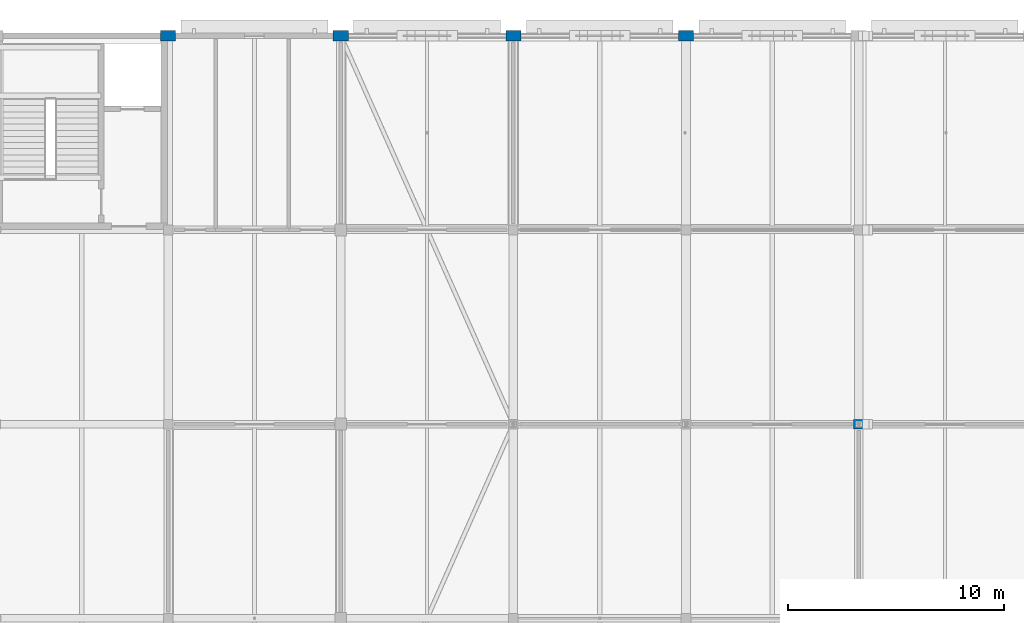
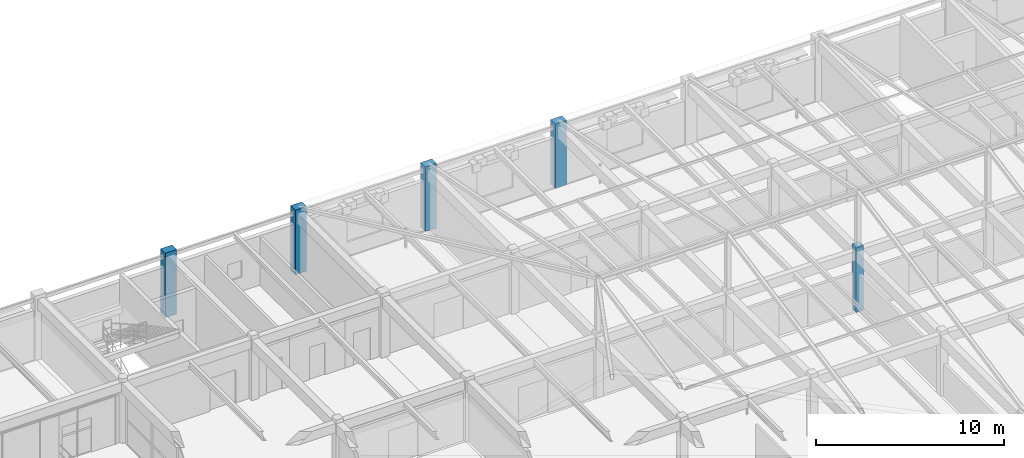
# One storey, part 4 of 126: 5 columns.
"""IFC4 building model written with IfcOpenShell, lengths in metres."""

from ifc_helpers import new_model, si_unit, direction, frame, origin, origin_2d, place, context, subcontext, project, spatial, rectangle, extrude, material, material_profile, profile_set, type_object, element, save


model = new_model("IFC4")

# Units and contexts
model_context = context("Model", 3, precision=1e-05, world=origin(), true_north=direction((0.0, 1.0)))
body_context = subcontext(model_context, "Body", "Model", "MODEL_VIEW")
ifc_project = project(units=[si_unit("LENGTHUNIT", "METRE"), si_unit("AREAUNIT", "SQUARE_METRE"), si_unit("VOLUMEUNIT", "CUBIC_METRE"), si_unit("PLANEANGLEUNIT", "RADIAN"), si_unit("MASSUNIT", "GRAM", prefix="KILO")], contexts=[model_context])

# Site, building, storey
site_placement = place(None, origin())
site = spatial("IfcSite", under=ifc_project, at=site_placement, CompositionType="ELEMENT")
building_placement = place(site_placement, origin())
building = spatial("IfcBuilding", under=site, at=building_placement, Name="Varnabhumi Central Station", CompositionType="ELEMENT")
storey_placement = place(building_placement, frame((0.0, 0.0, 16.199951171875)))
storey = spatial("IfcBuildingStorey", under=building, at=storey_placement, Name="L03", CompositionType="ELEMENT", Elevation=16.199951171875)

# Columns
ifc_material = material(Name="Concrete M40", Category="concrete")
ifc_material_profile_1 = material_profile(ifc_material, rectangle(XDim=0.449951171875, YDim=0.449951171875, at=origin_2d()), Name="Concrete M40", Category="concrete")
ifc_profile_set_1 = profile_set([ifc_material_profile_1], Name="Concrete M40")
column_type_1 = type_object("IfcColumnType", Name="COL-RC-450", PredefinedType="COLUMN", material=ifc_profile_set_1)
column_placement = place(storey_placement, frame((120.0, 98.0, 0.0), z_axis=(0.0, 0.0, 1.0), x_axis=(1.0, 0.0, 0.0)))
element("IfcColumn", 1, at=column_placement, inside=storey, type_object=column_type_1, Name="Column L03-16M", PredefinedType="COLUMN", context=body_context, shape_type="SweptSolid", body=[
    extrude(rectangle(XDim=0.449951171875, YDim=0.449951171875, at=origin_2d()), origin(), (0.0, 0.0, 1.0), 4.199951171875),
])
ifc_material_profile_2 = material_profile(ifc_material, rectangle(XDim=0.699951171875, YDim=0.5, at=origin_2d()), Name="Concrete M40", Category="concrete")
ifc_profile_set_2 = profile_set([ifc_material_profile_2], Name="Concrete M40")
column_type_2 = type_object("IfcColumnType", Name="COL-RC-700x500", PredefinedType="PILASTER", material=ifc_profile_set_2)
for number, where, z_axis, x_axis, name in (
    (2, (88.0, 116.0, 0.0), (0.0, 0.0, 1.0), (1.0, 0.0, 0.0), "Column L03-12P"),
    (3, (96.0, 116.0, 0.0), (0.0, 0.0, 1.0), (1.0, 0.0, 0.0), "Column L03-13P"),
    (4, (104.0, 116.0, 0.0), (0.0, 0.0, 1.0), (1.0, 0.0, 0.0), "Column L03-14P"),
    (5, (112.0, 116.0, 0.0), (0.0, 0.0, 1.0), (1.0, 0.0, 0.0), "Column L03-15P"),
):
    element("IfcColumn", number, at=place(storey_placement, frame(where, z_axis=z_axis, x_axis=x_axis)), inside=storey, type_object=column_type_2, Name=name, PredefinedType="PILASTER", context=body_context, shape_type="SweptSolid", body=[
        extrude(rectangle(XDim=0.699951171875, YDim=0.5, at=origin_2d()), origin(), (0.0, 0.0, 1.0), 4.199951171875),
    ])

save(model, "model.ifc")
